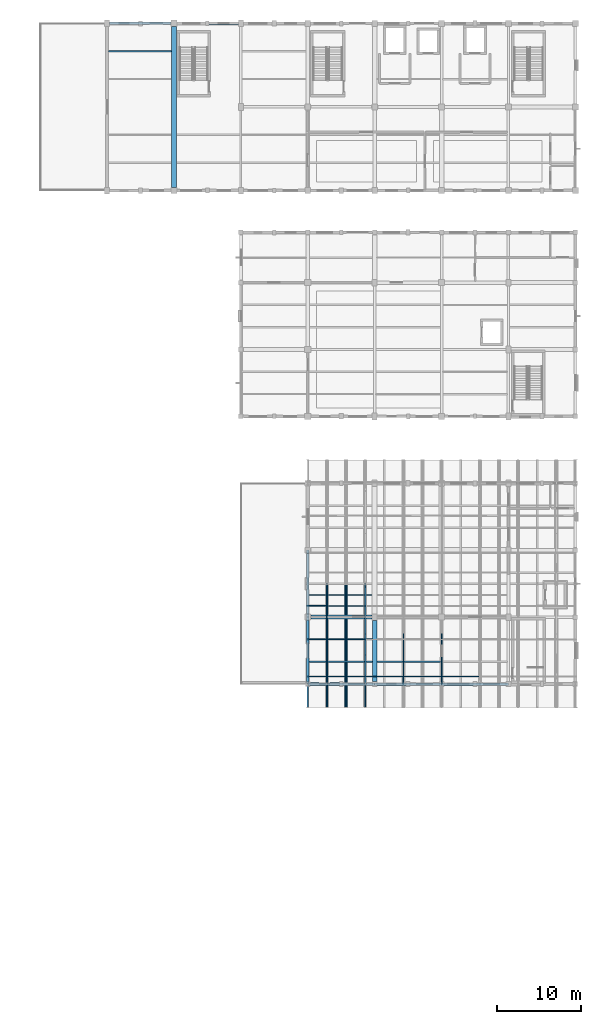
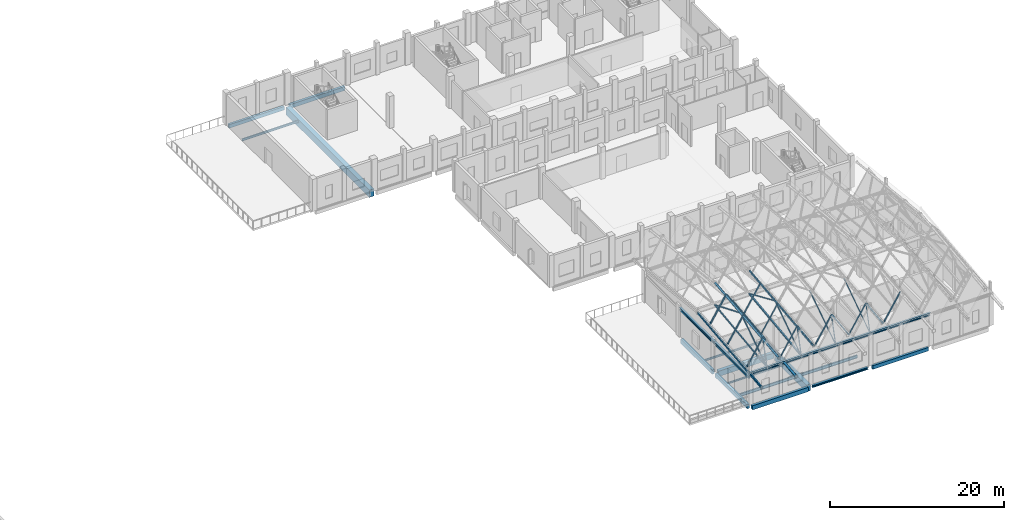
# One storey, part 20 of 77: 27 members, 24 beams.
"""IFC4 building model written with IfcOpenShell, lengths in metres."""

from ifc_helpers import new_model, si_unit, direction, frame, origin, origin_2d, place, context, subcontext, project, spatial, rectangle, hollow_rectangle, hollow_circle, i_section, extrude, material, material_profile, profile_set, type_object, element, save


model = new_model("IFC4")

# Units and contexts
model_context = context("Model", 3, precision=1e-05, world=origin(), true_north=direction((0.0, 1.0)))
body_context = subcontext(model_context, "Body", "Model", "MODEL_VIEW")
ifc_project = project(units=[si_unit("LENGTHUNIT", "METRE"), si_unit("AREAUNIT", "SQUARE_METRE"), si_unit("VOLUMEUNIT", "CUBIC_METRE"), si_unit("PLANEANGLEUNIT", "RADIAN"), si_unit("MASSUNIT", "GRAM", prefix="KILO")], contexts=[model_context])

# Site, building, storey
site_placement = place(None, origin())
site = spatial("IfcSite", under=ifc_project, at=site_placement, CompositionType="ELEMENT")
building_placement = place(site_placement, origin())
building = spatial("IfcBuilding", under=site, at=building_placement, Name="Luwemba Playhouse", CompositionType="ELEMENT")
storey_placement = place(building_placement, frame((0.0, 0.0, 9.300048828125)))
storey = spatial("IfcBuildingStorey", under=building, at=storey_placement, Name="L02", CompositionType="ELEMENT", Elevation=9.300048828125)

# Beams
ifc_material_1 = material(Name="Concrete C40/50", Category="concrete")
ifc_material_profile_1 = material_profile(ifc_material_1, rectangle(XDim=0.449951171875, YDim=0.75, at=origin_2d()))
ifc_profile_set_1 = profile_set([ifc_material_profile_1], Name="Concrete C40/50")
beam_type_1 = type_object("IfcBeamType", Name="BM-RB04", PredefinedType="BEAM", material=ifc_profile_set_1)
beam_1_placement = place(storey_placement, frame((140.375, 44.0, -0.625), z_axis=(1.0, 0.0, 0.0), x_axis=(0.0, 1.0, 0.0)))
element("IfcBeam", 1, at=beam_1_placement, inside=storey, type_object=beam_type_1, Name="L02 grid girder 0702", PredefinedType="BEAM", context=body_context, shape_type="SweptSolid", body=[
    extrude(rectangle(XDim=0.449951171875, YDim=0.75, at=origin_2d()), origin(), (0.0, 0.0, 1.0), 7.324951171875),
])
ifc_material_profile_2 = material_profile(ifc_material_1, rectangle(XDim=0.550048828125, YDim=0.949951171875, at=origin_2d()))
ifc_profile_set_2 = profile_set([ifc_material_profile_2], Name="Concrete C40/50")
beam_type_2 = type_object("IfcBeamType", Name="BM-RB08", PredefinedType="BEAM", material=ifc_profile_set_2)
beam_2_placement = place(storey_placement, frame((148.0, 36.300048828125, -0.72509765625), z_axis=(0.0, 1.0, 0.0), x_axis=(-1.0, 0.0, 0.0)))
element("IfcBeam", 2, at=beam_2_placement, inside=storey, type_object=beam_type_2, Name="L02 transverse girder 0715", PredefinedType="BEAM", context=body_context, shape_type="SweptSolid", body=[
    extrude(rectangle(XDim=0.550048828125, YDim=0.949951171875, at=origin_2d()), origin(), (0.0, 0.0, 1.0), 7.300048828125),
])
ifc_material_profile_3 = material_profile(ifc_material_1, rectangle(XDim=0.60009765625, YDim=1.0, at=origin_2d()))
ifc_profile_set_3 = profile_set([ifc_material_profile_3], Name="Concrete C40/50")
beam_type_3 = type_object("IfcBeamType", Name="BM-RB09", PredefinedType="BEAM", material=ifc_profile_set_3)
beam_3_placement = place(storey_placement, frame((124.0, 95.375, -0.75), z_axis=(0.0, 1.0, 0.0), x_axis=(-1.0, 0.0, 0.0)))
element("IfcBeam", 3, at=beam_3_placement, inside=storey, type_object=beam_type_3, Name="L02 transverse girder 0816", PredefinedType="BEAM", context=body_context, shape_type="SweptSolid", body=[
    extrude(rectangle(XDim=0.60009765625, YDim=1.0, at=origin_2d()), origin(), (0.0, 0.0, 1.0), 19.25),
])
ifc_material_2 = material(Name="Steel S355", Category="steel")
ifc_material_profile_4 = material_profile(ifc_material_2, hollow_rectangle(XDim=0.14990234375, YDim=0.25, WallThickness=0.010009765625, InnerFilletRadius=0.014892578125, OuterFilletRadius=0.02490234375, at=origin_2d()))
ifc_profile_set_4 = profile_set([ifc_material_profile_4], Name="Steel S355")
beam_type_4 = type_object("IfcBeamType", Name="BM-RTG1", PredefinedType="USERDEFINED", material=ifc_profile_set_4)
beam_4_placement = place(storey_placement, frame((146.857177734375, 33.199951171875, 7.4833984375), z_axis=(0.0, 0.993768187881, 0.11146653648), x_axis=(-1.0, 0.0, 0.0)))
element("IfcBeam", 4, at=beam_4_placement, inside=storey, type_object=beam_type_4, Name="ROOF TRUSS ridge girder 0171", ObjectType="ROOF TRUSS", PredefinedType="USERDEFINED", context=body_context, shape_type="SweptSolid", body=[
    extrude(hollow_rectangle(XDim=0.14990234375, YDim=0.25, WallThickness=0.010009765625, InnerFilletRadius=0.014892578125, OuterFilletRadius=0.02490234375, at=origin_2d()), origin(), (0.0, 0.0, 1.0), 14.781982421875),
])
ifc_material_profile_5 = material_profile(ifc_material_2, hollow_rectangle(XDim=0.199951171875, YDim=0.300048828125, WallThickness=0.012451171875, InnerFilletRadius=0.018798828125, OuterFilletRadius=0.03125, at=origin_2d()))
ifc_profile_set_5 = profile_set([ifc_material_profile_5], Name="Steel S355")
beam_type_5 = type_object("IfcBeamType", Name="BM-RTG2", PredefinedType="USERDEFINED", material=ifc_profile_set_5)
beam_5_placement = place(storey_placement, frame((140.0, 33.199951171875, 3.998046875), z_axis=(0.0, 0.993768187881, 0.11146653648), x_axis=(-1.0, 0.0, 0.0)))
element("IfcBeam", 5, at=beam_5_placement, inside=storey, type_object=beam_type_5, Name="ROOF TRUSS valley girder 0165", ObjectType="ROOF TRUSS", PredefinedType="USERDEFINED", context=body_context, shape_type="SweptSolid", body=[
    extrude(hollow_rectangle(XDim=0.199951171875, YDim=0.300048828125, WallThickness=0.012451171875, InnerFilletRadius=0.018798828125, OuterFilletRadius=0.03125, at=origin_2d()), origin(), (0.0, 0.0, 1.0), 14.781982421875),
])
ifc_material_profile_6 = material_profile(ifc_material_2, hollow_circle(Radius=0.136474609375, WallThickness=0.012451171875, at=origin_2d()))
ifc_profile_set_6 = profile_set([ifc_material_profile_6], Name="Steel S355")
beam_type_6 = type_object("IfcBeamType", Name="BM-RTG3", PredefinedType="USERDEFINED", material=ifc_profile_set_6)
beam_6_placement = place(storey_placement, frame((142.28564453125, 33.199951171875, 7.37353515625), z_axis=(0.0, 0.993768187881, 0.11146653648), x_axis=(-1.0, 0.0, 0.0)))
element("IfcBeam", 6, at=beam_6_placement, inside=storey, type_object=beam_type_6, Name="ROOF TRUSS ridge girder 0167", ObjectType="ROOF TRUSS", PredefinedType="USERDEFINED", context=body_context, shape_type="SweptSolid", body=[
    extrude(hollow_circle(Radius=0.136474609375, WallThickness=0.012451171875, at=origin_2d()), origin(), (0.0, 0.0, 1.0), 14.781982421875),
])
ifc_material_profile_7 = material_profile(ifc_material_2, hollow_circle(Radius=0.161865234375, WallThickness=0.01611328125, at=origin_2d()))
ifc_profile_set_7 = profile_set([ifc_material_profile_7], Name="Steel S355")
beam_type_7 = type_object("IfcBeamType", Name="BM-RTG4", PredefinedType="USERDEFINED", material=ifc_profile_set_7)
beam_7_placement = place(storey_placement, frame((144.5712890625, 33.199951171875, 3.986083984375), z_axis=(0.0, 0.993768187881, 0.11146653648), x_axis=(-1.0, 0.0, 0.0)))
element("IfcBeam", 7, at=beam_7_placement, inside=storey, type_object=beam_type_7, Name="ROOF TRUSS valley girder 0169", ObjectType="ROOF TRUSS", PredefinedType="USERDEFINED", context=body_context, shape_type="SweptSolid", body=[
    extrude(hollow_circle(Radius=0.161865234375, WallThickness=0.01611328125, at=origin_2d()), origin(), (0.0, 0.0, 1.0), 14.781982421875),
])
ifc_material_profile_8 = material_profile(ifc_material_2, i_section(OverallWidth=0.300048828125, OverallDepth=0.360107421875, WebThickness=0.012451171875, FlangeThickness=0.0224609375, FilletRadius=0.027099609375, at=origin_2d()))
ifc_profile_set_8 = profile_set([ifc_material_profile_8], Name="Steel S355")
beam_type_8 = type_object("IfcBeamType", Name="BM-SB09", PredefinedType="BEAM", material=ifc_profile_set_8)
for number, where, z_axis, x_axis, name in (
    (8, (140.0, 36.0, 4.320068359375), (1.0, 0.0, 0.0), (0.0, 1.0, 0.0), "RF-V3 eave ring beam 0148"),
    (9, (148.0, 36.0, 4.320068359375), (1.0, 0.0, 0.0), (0.0, 1.0, 0.0), "RF-V3 eave ring beam 0149"),
    (10, (156.0, 36.0, 4.320068359375), (1.0, 0.0, 0.0), (0.0, 1.0, 0.0), "RF-V3 eave ring beam 0150"),
    (11, (140.0, 36.0, 3.780029296875), (0.0, 1.0, 0.0), (-1.0, 0.0, 0.0), "RF-V3 gable ring beam 0156"),
    (12, (140.0, 44.0, 3.780029296875), (0.0, 1.0, 0.0), (-1.0, 0.0, 0.0), "RF-V3 gable ring beam 0157"),
):
    element("IfcBeam", number, at=place(storey_placement, frame(where, z_axis=z_axis, x_axis=x_axis)), inside=storey, type_object=beam_type_8, Name=name, PredefinedType="BEAM", context=body_context, shape_type="SweptSolid", body=[
        extrude(i_section(OverallWidth=0.300048828125, OverallDepth=0.360107421875, WebThickness=0.012451171875, FlangeThickness=0.0224609375, FilletRadius=0.027099609375, at=origin_2d()), origin(), (0.0, 0.0, 1.0), 8.0),
    ])
ifc_material_profile_9 = material_profile(ifc_material_2, i_section(OverallWidth=0.1201171875, OverallDepth=0.239990234375, WebThickness=0.006103515625, FlangeThickness=0.009765625, FilletRadius=0.014892578125, at=origin_2d()))
ifc_profile_set_9 = profile_set([ifc_material_profile_9], Name="Steel S355")
beam_type_9 = type_object("IfcBeamType", Name="BM-SJ03", PredefinedType="JOIST", material=ifc_profile_set_9)
beam_8_placement = place(storey_placement, frame((140.1708984375, 41.333251953125, -0.3701171875), z_axis=(1.0, 0.0, 0.0), x_axis=(0.0, 1.0, 0.0)))
element("IfcBeam", 13, at=beam_8_placement, inside=storey, type_object=beam_type_9, Name="L02 composite floor joist 0405", PredefinedType="JOIST", context=body_context, shape_type="SweptSolid", body=[
    extrude(i_section(OverallWidth=0.1201171875, OverallDepth=0.239990234375, WebThickness=0.006103515625, FlangeThickness=0.009765625, FilletRadius=0.014892578125, at=origin_2d()), origin(), (0.0, 0.0, 1.0), 7.55810546875),
])
ifc_material_profile_10 = material_profile(ifc_material_2, i_section(OverallWidth=0.135009765625, OverallDepth=0.27001953125, WebThickness=0.006591796875, FlangeThickness=0.01025390625, FilletRadius=0.014892578125, at=origin_2d()))
ifc_profile_set_10 = profile_set([ifc_material_profile_10], Name="Steel S355")
beam_type_10 = type_object("IfcBeamType", Name="BM-SJ04", PredefinedType="JOIST", material=ifc_profile_set_10)
beam_9_placement = place(storey_placement, frame((140.1708984375, 46.666748046875, -0.385009765625), z_axis=(1.0, 0.0, 0.0), x_axis=(0.0, 1.0, 0.0)))
element("IfcBeam", 14, at=beam_9_placement, inside=storey, type_object=beam_type_10, Name="L02 composite floor joist 0406", PredefinedType="JOIST", context=body_context, shape_type="SweptSolid", body=[
    extrude(i_section(OverallWidth=0.135009765625, OverallDepth=0.27001953125, WebThickness=0.006591796875, FlangeThickness=0.01025390625, FilletRadius=0.014892578125, at=origin_2d()), origin(), (0.0, 0.0, 1.0), 7.533203125),
])
ifc_material_profile_11 = material_profile(ifc_material_2, i_section(OverallWidth=0.14990234375, OverallDepth=0.300048828125, WebThickness=0.007080078125, FlangeThickness=0.0107421875, FilletRadius=0.014892578125, at=origin_2d()))
ifc_profile_set_11 = profile_set([ifc_material_profile_11], Name="Steel S355")
beam_type_11 = type_object("IfcBeamType", Name="BM-SJ05", PredefinedType="JOIST", material=ifc_profile_set_11)
beam_10_placement = place(storey_placement, frame((116.14599609375, 111.666748046875, -0.400146484375), z_axis=(1.0, 0.0, 0.0), x_axis=(0.0, 1.0, 0.0)))
element("IfcBeam", 15, at=beam_10_placement, inside=storey, type_object=beam_type_11, Name="L02 composite floor joist 0467", PredefinedType="JOIST", context=body_context, shape_type="SweptSolid", body=[
    extrude(i_section(OverallWidth=0.14990234375, OverallDepth=0.300048828125, WebThickness=0.007080078125, FlangeThickness=0.0107421875, FilletRadius=0.014892578125, at=origin_2d()), origin(), (0.0, 0.0, 1.0), 7.55810546875),
])
ifc_material_profile_12 = material_profile(ifc_material_2, i_section(OverallWidth=0.179931640625, OverallDepth=0.39990234375, WebThickness=0.008544921875, FlangeThickness=0.013427734375, FilletRadius=0.02099609375, at=origin_2d()))
ifc_profile_set_12 = profile_set([ifc_material_profile_12], Name="Steel S355")
beam_type_12 = type_object("IfcBeamType", Name="BM-SJ08", PredefinedType="JOIST", material=ifc_profile_set_12)
beam_11_placement = place(storey_placement, frame((140.1708984375, 38.666748046875, -0.449951171875), z_axis=(1.0, 0.0, 0.0), x_axis=(0.0, 1.0, 0.0)))
element("IfcBeam", 16, at=beam_11_placement, inside=storey, type_object=beam_type_12, Name="L02 composite floor joist 0404", PredefinedType="JOIST", context=body_context, shape_type="SweptSolid", body=[
    extrude(i_section(OverallWidth=0.179931640625, OverallDepth=0.39990234375, WebThickness=0.008544921875, FlangeThickness=0.013427734375, FilletRadius=0.02099609375, at=origin_2d()), origin(), (0.0, 0.0, 1.0), 7.55810546875),
])
beam_12_placement = place(storey_placement, frame((148.27099609375, 38.666748046875, -0.449951171875), z_axis=(1.0, 0.0, 0.0), x_axis=(0.0, 1.0, 0.0)))
element("IfcBeam", 17, at=beam_12_placement, inside=storey, type_object=beam_type_12, Name="L02 composite floor joist 0410", PredefinedType="JOIST", context=body_context, shape_type="SweptSolid", body=[
    extrude(i_section(OverallWidth=0.179931640625, OverallDepth=0.39990234375, WebThickness=0.008544921875, FlangeThickness=0.013427734375, FilletRadius=0.02099609375, at=origin_2d()), origin(), (0.0, 0.0, 1.0), 7.5830078125),
])
ifc_material_profile_13 = material_profile(ifc_material_1, rectangle(XDim=0.300048828125, YDim=0.5, at=origin_2d()))
ifc_profile_set_13 = profile_set([ifc_material_profile_13], Name="Concrete C40/50")
beam_type_13 = type_object("IfcBeamType", Name="BM-SP1", PredefinedType="SPANDREL", material=ifc_profile_set_13)
beam_13_placement = place(storey_placement, frame((156.300048828125, 36.0, -0.5), z_axis=(1.0, 0.0, 0.0), x_axis=(0.0, 1.0, 0.0)))
element("IfcBeam", 18, at=beam_13_placement, inside=storey, type_object=beam_type_13, Name="L02 grid girder 0700", PredefinedType="SPANDREL", context=body_context, shape_type="SweptSolid", body=[
    extrude(rectangle(XDim=0.300048828125, YDim=0.5, at=origin_2d()), origin(), (0.0, 0.0, 1.0), 7.39990234375),
])
beam_14_placement = place(storey_placement, frame((116.300048828125, 115.0, -0.5), z_axis=(1.0, 0.0, 0.0), x_axis=(0.0, 1.0, 0.0)))
element("IfcBeam", 19, at=beam_14_placement, inside=storey, type_object=beam_type_13, Name="L02 grid girder 0808", PredefinedType="SPANDREL", context=body_context, shape_type="SweptSolid", body=[
    extrude(rectangle(XDim=0.300048828125, YDim=0.5, at=origin_2d()), origin(), (0.0, 0.0, 1.0), 7.324951171875),
])
ifc_material_profile_14 = material_profile(ifc_material_1, rectangle(XDim=0.35009765625, YDim=0.550048828125, at=origin_2d()))
ifc_profile_set_14 = profile_set([ifc_material_profile_14], Name="Concrete C40/50")
beam_type_14 = type_object("IfcBeamType", Name="BM-SP2", PredefinedType="SPANDREL", material=ifc_profile_set_14)
for number, where, z_axis, x_axis, name in (
    (20, (140.0, 36.300048828125, -0.525146484375), (0.0, 1.0, 0.0), (-1.0, 0.0, 0.0), "L02 transverse girder 0712"),
    (21, (124.375, 115.0, -0.525146484375), (1.0, 0.0, 0.0), (0.0, 1.0, 0.0), "L02 grid girder 0809"),
):
    element("IfcBeam", number, at=place(storey_placement, frame(where, z_axis=z_axis, x_axis=x_axis)), inside=storey, type_object=beam_type_14, Name=name, PredefinedType="SPANDREL", context=body_context, shape_type="SweptSolid", body=[
        extrude(rectangle(XDim=0.35009765625, YDim=0.550048828125, at=origin_2d()), origin(), (0.0, 0.0, 1.0), 7.324951171875),
    ])
ifc_material_profile_15 = material_profile(ifc_material_1, rectangle(XDim=0.35009765625, YDim=0.60009765625, at=origin_2d()))
ifc_profile_set_15 = profile_set([ifc_material_profile_15], Name="Concrete C40/50")
beam_type_15 = type_object("IfcBeamType", Name="BM-SP3", PredefinedType="SPANDREL", material=ifc_profile_set_15)
beam_15_placement = place(storey_placement, frame((140.300048828125, 36.0, -0.550048828125), z_axis=(1.0, 0.0, 0.0), x_axis=(0.0, 1.0, 0.0)))
element("IfcBeam", 22, at=beam_15_placement, inside=storey, type_object=beam_type_15, Name="L02 grid girder 0698", PredefinedType="SPANDREL", context=body_context, shape_type="SweptSolid", body=[
    extrude(rectangle(XDim=0.35009765625, YDim=0.60009765625, at=origin_2d()), origin(), (0.0, 0.0, 1.0), 7.39990234375),
])
beam_16_placement = place(storey_placement, frame((140.0, 44.375, -0.550048828125), z_axis=(0.0, 1.0, 0.0), x_axis=(-1.0, 0.0, 0.0)))
element("IfcBeam", 23, at=beam_16_placement, inside=storey, type_object=beam_type_15, Name="L02 transverse girder 0713", PredefinedType="SPANDREL", context=body_context, shape_type="SweptSolid", body=[
    extrude(rectangle(XDim=0.35009765625, YDim=0.60009765625, at=origin_2d()), origin(), (0.0, 0.0, 1.0), 7.25),
])
ifc_material_profile_16 = material_profile(ifc_material_2, i_section(OverallWidth=0.300048828125, OverallDepth=0.300048828125, WebThickness=0.010986328125, FlangeThickness=0.01904296875, FilletRadius=0.027099609375, at=origin_2d()))
ifc_profile_set_16 = profile_set([ifc_material_profile_16], Name="Steel S355")
beam_type_16 = type_object("IfcBeamType", Name="BM-SSP1", PredefinedType="SPANDREL", material=ifc_profile_set_16)
beam_17_placement = place(storey_placement, frame((148.300048828125, 36.0, -0.400146484375), z_axis=(1.0, 0.0, 0.0), x_axis=(0.0, 1.0, 0.0)))
element("IfcBeam", 24, at=beam_17_placement, inside=storey, type_object=beam_type_16, Name="L02 grid girder 0699", PredefinedType="SPANDREL", context=body_context, shape_type="SweptSolid", body=[
    extrude(i_section(OverallWidth=0.300048828125, OverallDepth=0.300048828125, WebThickness=0.010986328125, FlangeThickness=0.01904296875, FilletRadius=0.027099609375, at=origin_2d()), origin(), (0.0, 0.0, 1.0), 7.39990234375),
])

# Members
ifc_material_profile_17 = material_profile(ifc_material_2, hollow_circle(Radius=0.06982421875, WallThickness=0.008056640625, at=origin_2d()))
ifc_profile_set_17 = profile_set([ifc_material_profile_17], Name="Steel S355")
member_type_1 = type_object("IfcMemberType", Name="MEM-MB01", PredefinedType="BRACE", material=ifc_profile_set_17)
member_1_placement = place(storey_placement, frame((151.4287109375, 36.0, 4.39990234375), z_axis=(0.0, 0.834580678747, 0.550885732854), x_axis=(-1.0, 0.0, 0.0)))
element("IfcMember", 25, at=member_1_placement, inside=storey, type_object=member_type_1, Name="ROOF TRUSS web diagonal 0153", PredefinedType="BRACE", context=body_context, shape_type="SweptSolid", body=[
    extrude(hollow_circle(Radius=0.06982421875, WallThickness=0.008056640625, at=origin_2d()), origin(), (0.0, 0.0, 1.0), 7.189208984375),
])
member_2_placement = place(storey_placement, frame((151.4287109375, 36.0, 4.39990234375), z_axis=(0.0, 0.256682973169, 0.966495655078), x_axis=(-1.0, 0.0, 0.0)))
element("IfcMember", 26, at=member_2_placement, inside=storey, type_object=member_type_1, Name="ROOF TRUSS eave knee strut 0034", PredefinedType="BRACE", context=body_context, shape_type="SweptSolid", body=[
    extrude(hollow_circle(Radius=0.06982421875, WallThickness=0.008056640625, at=origin_2d()), origin(), (0.0, 0.0, 1.0), 3.505859375),
])
ifc_material_profile_18 = material_profile(ifc_material_2, hollow_circle(Radius=0.084228515625, WallThickness=0.008056640625, at=origin_2d()))
ifc_profile_set_18 = profile_set([ifc_material_profile_18], Name="Steel S355")
member_type_2 = type_object("IfcMemberType", Name="MEM-MB02", PredefinedType="BRACE", material=ifc_profile_set_18)
member_3_placement = place(storey_placement, frame((142.28564453125, 36.0, 4.39990234375), z_axis=(0.0, 0.834580678747, 0.550885732854), x_axis=(-1.0, 0.0, 0.0)))
element("IfcMember", 27, at=member_3_placement, inside=storey, type_object=member_type_2, Name="ROOF TRUSS web diagonal 0141", PredefinedType="BRACE", context=body_context, shape_type="SweptSolid", body=[
    extrude(hollow_circle(Radius=0.084228515625, WallThickness=0.008056640625, at=origin_2d()), origin(), (0.0, 0.0, 1.0), 7.189208984375),
])
member_4_placement = place(storey_placement, frame((142.28564453125, 48.0, 5.865966796875), z_axis=(0.0, -0.923383434978, 0.38387892884), x_axis=(1.0, 0.0, 0.0)))
element("IfcMember", 28, at=member_4_placement, inside=storey, type_object=member_type_2, Name="ROOF TRUSS web diagonal 0142", PredefinedType="BRACE", context=body_context, shape_type="SweptSolid", body=[
    extrude(hollow_circle(Radius=0.084228515625, WallThickness=0.008056640625, at=origin_2d()), origin(), (0.0, 0.0, 1.0), 6.497802734375),
])
member_5_placement = place(storey_placement, frame((142.28564453125, 36.0, 4.39990234375), z_axis=(0.0, 0.256682973169, 0.966495655078), x_axis=(-1.0, 0.0, 0.0)))
element("IfcMember", 29, at=member_5_placement, inside=storey, type_object=member_type_2, Name="ROOF TRUSS eave knee strut 0030", PredefinedType="BRACE", context=body_context, shape_type="SweptSolid", body=[
    extrude(hollow_circle(Radius=0.084228515625, WallThickness=0.008056640625, at=origin_2d()), origin(), (0.0, 0.0, 1.0), 3.505859375),
])
ifc_material_profile_19 = material_profile(ifc_material_2, hollow_rectangle(XDim=0.10009765625, YDim=0.10009765625, WallThickness=0.00634765625, InnerFilletRadius=0.009521484375, OuterFilletRadius=0.015869140625, at=origin_2d()))
ifc_profile_set_19 = profile_set([ifc_material_profile_19], Name="Steel S355")
member_type_3 = type_object("IfcMemberType", Name="MEM-MB05", PredefinedType="BRACE", material=ifc_profile_set_19)
member_6_placement = place(storey_placement, frame((156.0, 36.0, 4.39990234375), z_axis=(0.0, 0.827531645808, 0.561419072695), x_axis=(-1.0, 0.0, 0.0)))
element("IfcMember", 30, at=member_6_placement, inside=storey, type_object=member_type_3, Name="ROOF TRUSS web diagonal 0159", PredefinedType="BRACE", context=body_context, shape_type="SweptSolid", body=[
    extrude(hollow_rectangle(XDim=0.10009765625, YDim=0.10009765625, WallThickness=0.00634765625, InnerFilletRadius=0.009521484375, OuterFilletRadius=0.015869140625, at=origin_2d()), origin(), (0.0, 0.0, 1.0), 7.25048828125),
])
member_7_placement = place(storey_placement, frame((156.0, 36.0, 4.39990234375), z_axis=(0.0, 0.249113487175, 0.968474300386), x_axis=(-1.0, 0.0, 0.0)))
element("IfcMember", 31, at=member_7_placement, inside=storey, type_object=member_type_3, Name="ROOF TRUSS eave knee strut 0036", PredefinedType="BRACE", context=body_context, shape_type="SweptSolid", body=[
    extrude(hollow_rectangle(XDim=0.10009765625, YDim=0.10009765625, WallThickness=0.00634765625, InnerFilletRadius=0.009521484375, OuterFilletRadius=0.015869140625, at=origin_2d()), origin(), (0.0, 0.0, 1.0), 3.6123046875),
])
ifc_material_profile_20 = material_profile(ifc_material_2, hollow_rectangle(XDim=0.1201171875, YDim=0.1201171875, WallThickness=0.008056640625, InnerFilletRadius=0.011962890625, OuterFilletRadius=0.02001953125, at=origin_2d()))
ifc_profile_set_20 = profile_set([ifc_material_profile_20], Name="Steel S355")
member_type_4 = type_object("IfcMemberType", Name="MEM-MB06", PredefinedType="BRACE", material=ifc_profile_set_20)
member_8_placement = place(storey_placement, frame((146.857177734375, 36.0, 4.39990234375), z_axis=(0.0, 0.827531645808, 0.561419072695), x_axis=(-1.0, 0.0, 0.0)))
element("IfcMember", 32, at=member_8_placement, inside=storey, type_object=member_type_4, Name="ROOF TRUSS web diagonal 0147", PredefinedType="BRACE", context=body_context, shape_type="SweptSolid", body=[
    extrude(hollow_rectangle(XDim=0.1201171875, YDim=0.1201171875, WallThickness=0.008056640625, InnerFilletRadius=0.011962890625, OuterFilletRadius=0.02001953125, at=origin_2d()), origin(), (0.0, 0.0, 1.0), 7.25048828125),
])
member_9_placement = place(storey_placement, frame((146.857177734375, 48.0, 5.865966796875), z_axis=(0.0, -0.917304885727, 0.398185568072), x_axis=(1.0, 0.0, 0.0)))
element("IfcMember", 33, at=member_9_placement, inside=storey, type_object=member_type_4, Name="ROOF TRUSS web diagonal 0148", PredefinedType="BRACE", context=body_context, shape_type="SweptSolid", body=[
    extrude(hollow_rectangle(XDim=0.1201171875, YDim=0.1201171875, WallThickness=0.008056640625, InnerFilletRadius=0.011962890625, OuterFilletRadius=0.02001953125, at=origin_2d()), origin(), (0.0, 0.0, 1.0), 6.541015625),
])
member_10_placement = place(storey_placement, frame((146.857177734375, 36.0, 4.39990234375), z_axis=(0.0, 0.249113487175, 0.968474300386), x_axis=(-1.0, 0.0, 0.0)))
element("IfcMember", 34, at=member_10_placement, inside=storey, type_object=member_type_4, Name="ROOF TRUSS eave knee strut 0032", PredefinedType="BRACE", context=body_context, shape_type="SweptSolid", body=[
    extrude(hollow_rectangle(XDim=0.1201171875, YDim=0.1201171875, WallThickness=0.008056640625, InnerFilletRadius=0.011962890625, OuterFilletRadius=0.02001953125, at=origin_2d()), origin(), (0.0, 0.0, 1.0), 3.6123046875),
])
ifc_material_profile_21 = material_profile(ifc_material_2, hollow_rectangle(XDim=0.14990234375, YDim=0.14990234375, WallThickness=0.010009765625, InnerFilletRadius=0.014892578125, OuterFilletRadius=0.02490234375, at=origin_2d()))
ifc_profile_set_21 = profile_set([ifc_material_profile_21], Name="Steel S355")
member_type_5 = type_object("IfcMemberType", Name="MEM-MC02", PredefinedType="CHORD", material=ifc_profile_set_21)
member_11_placement = place(storey_placement, frame((142.28564453125, 36.0, 4.39990234375), z_axis=(0.0, 0.99261951546, 0.121270348924), x_axis=(-1.0, 0.0, 0.0)))
element("IfcMember", 35, at=member_11_placement, inside=storey, type_object=member_type_5, Name="ROOF TRUSS south bottom chord 0139", PredefinedType="CHORD", context=body_context, shape_type="SweptSolid", body=[
    extrude(hollow_rectangle(XDim=0.14990234375, YDim=0.14990234375, WallThickness=0.010009765625, InnerFilletRadius=0.014892578125, OuterFilletRadius=0.02490234375, at=origin_2d()), origin(), (0.0, 0.0, 1.0), 12.089111328125),
])
ifc_material_profile_22 = material_profile(ifc_material_2, hollow_rectangle(XDim=0.199951171875, YDim=0.199951171875, WallThickness=0.012451171875, InnerFilletRadius=0.018798828125, OuterFilletRadius=0.03125, at=origin_2d()))
ifc_profile_set_22 = profile_set([ifc_material_profile_22], Name="Steel S355")
member_type_6 = type_object("IfcMemberType", Name="MEM-MC04", PredefinedType="CHORD", material=ifc_profile_set_22)
member_12_placement = place(storey_placement, frame((146.857177734375, 36.0, 4.39990234375), z_axis=(0.0, 0.99261951546, 0.121270348924), x_axis=(-1.0, 0.0, 0.0)))
element("IfcMember", 36, at=member_12_placement, inside=storey, type_object=member_type_6, Name="ROOF TRUSS south bottom chord 0145", PredefinedType="CHORD", context=body_context, shape_type="SweptSolid", body=[
    extrude(hollow_rectangle(XDim=0.199951171875, YDim=0.199951171875, WallThickness=0.012451171875, InnerFilletRadius=0.018798828125, OuterFilletRadius=0.03125, at=origin_2d()), origin(), (0.0, 0.0, 1.0), 12.089111328125),
])
ifc_material_profile_23 = material_profile(ifc_material_2, hollow_rectangle(XDim=0.10009765625, YDim=0.14990234375, WallThickness=0.008056640625, InnerFilletRadius=0.011962890625, OuterFilletRadius=0.02001953125, at=origin_2d()))
ifc_profile_set_23 = profile_set([ifc_material_profile_23], Name="Steel S355")
member_type_7 = type_object("IfcMemberType", Name="MEM-MP02", PredefinedType="PURLIN", material=ifc_profile_set_23)
for number, where, z_axis, x_axis, name in (
    (37, (144.5712890625, 36.89990234375, 4.4130859375), (0.530350209601, 0.0, 0.847778659307), (0.0, 1.0, 0.0), "Pleated roof purlin 0289"),
    (38, (153.71435546875, 36.89990234375, 4.4130859375), (0.530309496681, 0.0, 0.847804126984), (0.0, 1.0, 0.0), "Pleated roof purlin 0313"),
):
    element("IfcMember", number, at=place(storey_placement, frame(where, z_axis=z_axis, x_axis=x_axis)), inside=storey, type_object=member_type_7, Name=name, PredefinedType="PURLIN", context=body_context, shape_type="SweptSolid", body=[
        extrude(hollow_rectangle(XDim=0.10009765625, YDim=0.14990234375, WallThickness=0.008056640625, InnerFilletRadius=0.011962890625, OuterFilletRadius=0.02001953125, at=origin_2d()), origin(), (0.0, 0.0, 1.0), 4.31005859375),
    ])
ifc_material_profile_24 = material_profile(ifc_material_2, hollow_rectangle(XDim=0.080078125, YDim=0.159912109375, WallThickness=0.00634765625, InnerFilletRadius=0.009521484375, OuterFilletRadius=0.015869140625, at=origin_2d()))
ifc_profile_set_24 = profile_set([ifc_material_profile_24], Name="Steel S355")
member_type_8 = type_object("IfcMemberType", Name="MEM-MP03", PredefinedType="PURLIN", material=ifc_profile_set_24)
member_13_placement = place(storey_placement, frame((144.5712890625, 41.340087890625, 4.922119140625), z_axis=(0.530350209601, 0.0, 0.847778659307), x_axis=(0.0, 1.0, 0.0)))
element("IfcMember", 39, at=member_13_placement, inside=storey, type_object=member_type_8, Name="Pleated roof purlin 0290", PredefinedType="PURLIN", context=body_context, shape_type="SweptSolid", body=[
    extrude(hollow_rectangle(XDim=0.080078125, YDim=0.159912109375, WallThickness=0.00634765625, InnerFilletRadius=0.009521484375, OuterFilletRadius=0.015869140625, at=origin_2d()), origin(), (0.0, 0.0, 1.0), 4.31005859375),
])
ifc_material_profile_25 = material_profile(ifc_material_2, hollow_rectangle(XDim=0.10009765625, YDim=0.179931640625, WallThickness=0.008056640625, InnerFilletRadius=0.011962890625, OuterFilletRadius=0.02001953125, at=origin_2d()))
ifc_profile_set_25 = profile_set([ifc_material_profile_25], Name="Steel S355")
member_type_9 = type_object("IfcMemberType", Name="MEM-MP04", PredefinedType="PURLIN", material=ifc_profile_set_25)
for number, where, z_axis, x_axis, name in (
    (40, (142.28564453125, 36.89990234375, 8.05224609375), (0.530309496681, 0.0, -0.847804126984), (0.0, 1.0, 0.0), "Pleated roof purlin 0283"),
    (41, (144.5712890625, 45.3359375, 5.34423828125), (0.530350209601, 0.0, 0.847778659307), (0.0, 1.0, 0.0), "Pleated roof purlin 0291"),
    (42, (151.4287109375, 36.89990234375, 8.05224609375), (0.530309496681, 0.0, -0.847804126984), (0.0, 1.0, 0.0), "Pleated roof purlin 0307"),
):
    element("IfcMember", number, at=place(storey_placement, frame(where, z_axis=z_axis, x_axis=x_axis)), inside=storey, type_object=member_type_9, Name=name, PredefinedType="PURLIN", context=body_context, shape_type="SweptSolid", body=[
        extrude(hollow_rectangle(XDim=0.10009765625, YDim=0.179931640625, WallThickness=0.008056640625, InnerFilletRadius=0.011962890625, OuterFilletRadius=0.02001953125, at=origin_2d()), origin(), (0.0, 0.0, 1.0), 4.31005859375),
    ])
ifc_material_profile_26 = material_profile(ifc_material_2, i_section(OverallWidth=0.08203125, OverallDepth=0.159912109375, WebThickness=0.0048828125, FlangeThickness=0.00732421875, FilletRadius=0.009033203125, at=origin_2d()))
ifc_profile_set_26 = profile_set([ifc_material_profile_26], Name="Steel S355")
member_type_10 = type_object("IfcMemberType", Name="MEM-MP05", PredefinedType="PURLIN", material=ifc_profile_set_26)
member_14_placement = place(storey_placement, frame((142.28564453125, 41.340087890625, 8.57470703125), z_axis=(0.530309496681, 0.0, -0.847804126984), x_axis=(0.0, 1.0, 0.0)))
element("IfcMember", 43, at=member_14_placement, inside=storey, type_object=member_type_10, Name="Pleated roof purlin 0284", PredefinedType="PURLIN", context=body_context, shape_type="SweptSolid", body=[
    extrude(i_section(OverallWidth=0.08203125, OverallDepth=0.159912109375, WebThickness=0.0048828125, FlangeThickness=0.00732421875, FilletRadius=0.009033203125, at=origin_2d()), origin(), (0.0, 0.0, 1.0), 4.31005859375),
])
ifc_material_profile_27 = material_profile(ifc_material_2, i_section(OverallWidth=0.091064453125, OverallDepth=0.179931640625, WebThickness=0.00537109375, FlangeThickness=0.008056640625, FilletRadius=0.009033203125, at=origin_2d()))
ifc_profile_set_27 = profile_set([ifc_material_profile_27], Name="Steel S355")
member_type_11 = type_object("IfcMemberType", Name="MEM-MP06", PredefinedType="PURLIN", material=ifc_profile_set_27)
for number, where, z_axis, x_axis, name in (
    (44, (140.0, 36.89990234375, 4.4052734375), (0.530309496681, 0.0, 0.847804126984), (0.0, 1.0, 0.0), "Pleated roof purlin 0277"),
    (45, (142.28564453125, 45.3359375, 9.005615234375), (0.530309496681, 0.0, -0.847804126984), (0.0, 1.0, 0.0), "Pleated roof purlin 0285"),
    (46, (149.142822265625, 36.89990234375, 4.405517578125), (0.530350209601, 0.0, 0.847778659307), (0.0, 1.0, 0.0), "Pleated roof purlin 0301"),
    (47, (158.28564453125, 36.89990234375, 4.4052734375), (0.530309496681, 0.0, 0.847804126984), (0.0, 1.0, 0.0), "Pleated roof purlin 0325"),
):
    element("IfcMember", number, at=place(storey_placement, frame(where, z_axis=z_axis, x_axis=x_axis)), inside=storey, type_object=member_type_11, Name=name, PredefinedType="PURLIN", context=body_context, shape_type="SweptSolid", body=[
        extrude(i_section(OverallWidth=0.091064453125, OverallDepth=0.179931640625, WebThickness=0.00537109375, FlangeThickness=0.008056640625, FilletRadius=0.009033203125, at=origin_2d()), origin(), (0.0, 0.0, 1.0), 4.31005859375),
    ])
ifc_material_profile_28 = material_profile(ifc_material_2, i_section(OverallWidth=0.10009765625, OverallDepth=0.199951171875, WebThickness=0.005615234375, FlangeThickness=0.008544921875, FilletRadius=0.011962890625, at=origin_2d()))
ifc_profile_set_28 = profile_set([ifc_material_profile_28], Name="Steel S355")
member_type_12 = type_object("IfcMemberType", Name="MEM-MP07", PredefinedType="PURLIN", material=ifc_profile_set_28)
member_15_placement = place(storey_placement, frame((140.0, 41.340087890625, 4.88623046875), z_axis=(0.530334965128, 0.0, 0.847788195697), x_axis=(0.0, 1.0, 0.0)))
element("IfcMember", 48, at=member_15_placement, inside=storey, type_object=member_type_12, Name="Pleated roof purlin 0278", PredefinedType="PURLIN", context=body_context, shape_type="SweptSolid", body=[
    extrude(i_section(OverallWidth=0.10009765625, OverallDepth=0.199951171875, WebThickness=0.005615234375, FlangeThickness=0.008544921875, FilletRadius=0.011962890625, at=origin_2d()), origin(), (0.0, 0.0, 1.0), 4.309814453125),
])
ifc_material_profile_29 = material_profile(ifc_material_2, i_section(OverallWidth=0.110107421875, OverallDepth=0.219970703125, WebThickness=0.005859375, FlangeThickness=0.00927734375, FilletRadius=0.011962890625, at=origin_2d()))
ifc_profile_set_29 = profile_set([ifc_material_profile_29], Name="Steel S355")
member_type_13 = type_object("IfcMemberType", Name="MEM-MP08", PredefinedType="PURLIN", material=ifc_profile_set_29)
for number, where, z_axis, x_axis, name in (
    (49, (140.0, 45.3359375, 5.31640625), (0.530309496681, 0.0, 0.847804126984), (0.0, 1.0, 0.0), "Pleated roof purlin 0279"),
    (50, (146.857177734375, 36.89990234375, 8.024169921875), (0.530309496681, 0.0, -0.847804126984), (0.0, 1.0, 0.0), "Pleated roof purlin 0295"),
):
    element("IfcMember", number, at=place(storey_placement, frame(where, z_axis=z_axis, x_axis=x_axis)), inside=storey, type_object=member_type_13, Name=name, PredefinedType="PURLIN", context=body_context, shape_type="SweptSolid", body=[
        extrude(i_section(OverallWidth=0.110107421875, OverallDepth=0.219970703125, WebThickness=0.005859375, FlangeThickness=0.00927734375, FilletRadius=0.011962890625, at=origin_2d()), origin(), (0.0, 0.0, 1.0), 4.31005859375),
    ])
member_16_placement = place(storey_placement, frame((156.0, 36.89990234375, 8.024169921875), z_axis=(0.530334965128, 0.0, -0.847788195697), x_axis=(0.0, 1.0, 0.0)))
element("IfcMember", 51, at=member_16_placement, inside=storey, type_object=member_type_13, Name="Pleated roof purlin 0319", PredefinedType="PURLIN", context=body_context, shape_type="SweptSolid", body=[
    extrude(i_section(OverallWidth=0.110107421875, OverallDepth=0.219970703125, WebThickness=0.005859375, FlangeThickness=0.00927734375, FilletRadius=0.011962890625, at=origin_2d()), origin(), (0.0, 0.0, 1.0), 4.309814453125),
])

save(model, "model.ifc")
